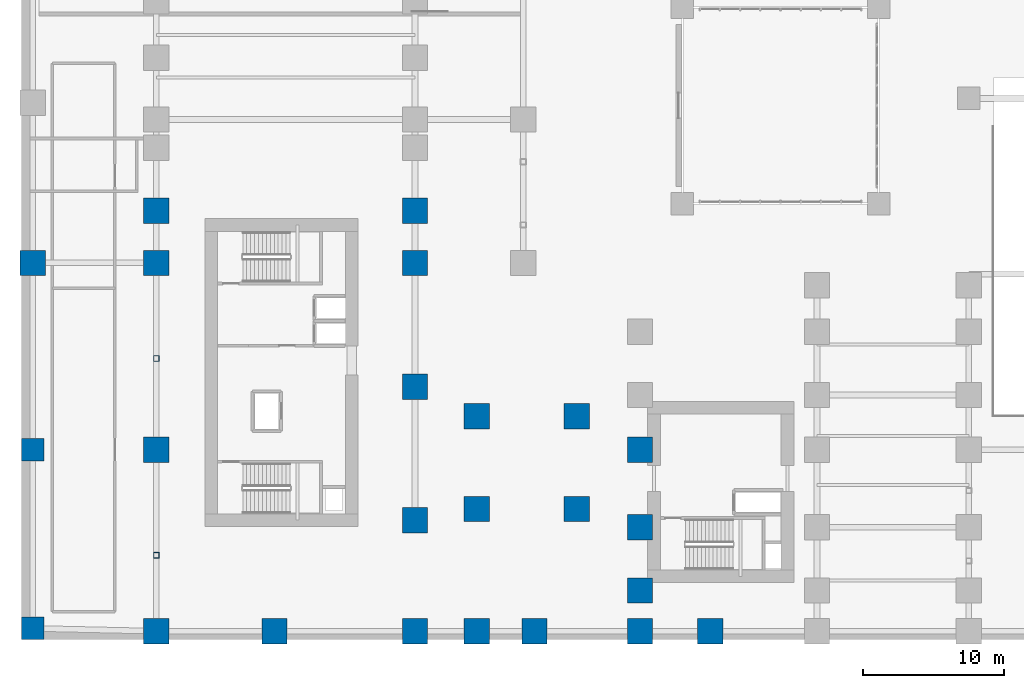
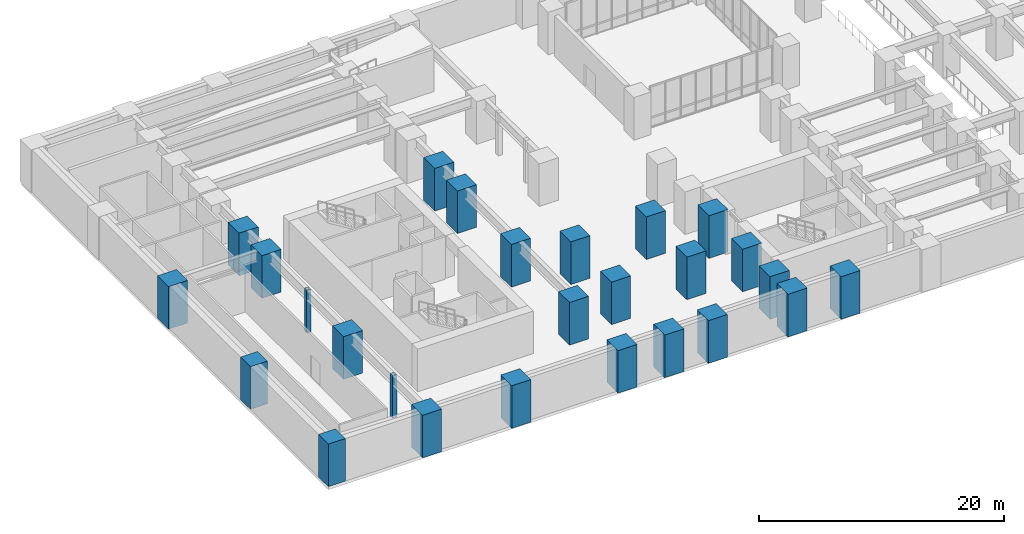
# One storey, part 1 of 18: 26 columns.
"""IFC4 building model written with IfcOpenShell, lengths in metres."""

import ifcopenshell
import ifcopenshell.guid

model = None  # the IFC model being written
_history = None  # IfcOwnerHistory: only IFC2X3 demands one
_inside = {}  # id of a spatial element -> (the spatial element, [elements in it])
_under = {}  # id of a project, library or spatial element -> (it, [spatial elements below it])
_declared = {}  # id of a project -> (the project, [libraries it declares])
_typed = {}  # id of a type object -> (the type object, [elements of that type])
_made_of = {}  # id of a material, layer set ... -> (it, [elements and type objects made of it])


def new_model(schema):
    """Start an empty IFC model of exactly this schema.

    Asked for "IFC4X3", IfcOpenShell would pick the latest addendum, in which some entities
    have other attributes; the version numbers below select the first issue.
    IFC2X3 requires an IfcOwnerHistory on every rooted entity: one is made here for all.
    """
    global model, _history
    if schema == "IFC4X3":
        model = ifcopenshell.file(schema_version=(4, 3, 0, 0))
    else:
        model = ifcopenshell.file(schema=schema)
    _inside.clear()
    _under.clear()
    _declared.clear()
    _typed.clear()
    _made_of.clear()
    _history = None
    if model.schema == "IFC2X3":
        org = make("IfcOrganization", Name="unknown")
        user = make(
            "IfcPersonAndOrganization",
            ThePerson=make("IfcPerson", FamilyName="unknown"),
            TheOrganization=org,
        )
        app = make(
            "IfcApplication",
            ApplicationDeveloper=org,
            Version="unknown",
            ApplicationFullName="unknown",
            ApplicationIdentifier="unknown",
        )
        _history = make(
            "IfcOwnerHistory",
            OwningUser=user,
            OwningApplication=app,
            ChangeAction="ADDED",
            CreationDate=0,
        )
    return model


def make(cls, **values):
    """One entity of the class cls with the attributes given. An attribute that is None is left unset."""
    return model.create_entity(
        cls, **{name: value for name, value in values.items() if value is not None}
    )


def rooted(cls, **values):
    """An entity with a GlobalId (a new one), such as an element, a storey or a relation."""
    return make(cls, GlobalId=ifcopenshell.guid.new(), OwnerHistory=_history, **values)


def si_unit(unit_type, name, prefix=None):
    """IfcSIUnit, for example si_unit("LENGTHUNIT", "METRE", prefix="MILLI")."""
    return make("IfcSIUnit", UnitType=unit_type, Prefix=prefix, Name=name)


def assignment(units):
    """IfcUnitAssignment: the units of a project."""
    return None if units is None else make("IfcUnitAssignment", Units=units)


def point(xyz):
    """IfcCartesianPoint."""
    return None if xyz is None else make("IfcCartesianPoint", Coordinates=xyz)


def direction(xyz):
    """IfcDirection."""
    return None if xyz is None else make("IfcDirection", DirectionRatios=xyz)


def frame(location, z_axis=None, x_axis=None):
    """IfcAxis2Placement3D, a coordinate frame: its origin and axes. An axis left out is left unset."""
    return make(
        "IfcAxis2Placement3D",
        Location=point(location),
        Axis=direction(z_axis),
        RefDirection=direction(x_axis),
    )


def frame_2d(location, x_axis=None):
    """IfcAxis2Placement2D, a coordinate frame in the plane: its origin and x axis."""
    return make(
        "IfcAxis2Placement2D", Location=point(location), RefDirection=direction(x_axis)
    )


def origin():
    """The frame at (0, 0, 0) with its axes left unset."""
    return frame((0.0, 0.0, 0.0))


def origin_2d():
    """The frame at (0, 0) in the plane with its x axis left unset."""
    return frame_2d((0.0, 0.0))


def place(relative_to, where):
    """IfcLocalPlacement: puts the frame where relative to a parent placement (None: the world)."""
    return make(
        "IfcLocalPlacement", PlacementRelTo=relative_to, RelativePlacement=where
    )


def context(
    kind, dimensions, precision=None, world=None, true_north=None, identifier=None
):
    """IfcGeometricRepresentationContext, for example the 3D "Model" context."""
    return make(
        "IfcGeometricRepresentationContext",
        ContextIdentifier=identifier,
        ContextType=kind,
        CoordinateSpaceDimension=dimensions,
        Precision=precision,
        WorldCoordinateSystem=world,
        TrueNorth=true_north,
    )


def subcontext(parent, identifier, kind, view, scale=None):
    """IfcGeometricRepresentationSubContext, for example "Body" below "Model"."""
    return make(
        "IfcGeometricRepresentationSubContext",
        ContextIdentifier=identifier,
        ContextType=kind,
        ParentContext=parent,
        TargetScale=scale,
        TargetView=view,
    )


def project(units=None, contexts=None):
    """IfcProject with its units and contexts."""
    return rooted(
        "IfcProject",
        Name="project",
        RepresentationContexts=contexts,
        UnitsInContext=assignment(units),
    )


def spatial(cls, under=None, at=None, **own):
    """A site, building, storey or space (cls), placed at a placement, below another one or the project."""
    s = rooted(cls, ObjectPlacement=at, **own)
    if under is not None:
        _under.setdefault(under.id(), (under, []))[1].append(s)
    return s


def profile(cls, at=None, kind="AREA", **sizes):
    """A parametric profile (cls). Its sizes go by their IFC names, for example OverallWidth=200.0."""
    return make(cls, ProfileType=kind, Position=at, **sizes)


def rectangle(**sizes):
    """IfcRectangleProfileDef."""
    return profile("IfcRectangleProfileDef", **sizes)


def hollow_rectangle(**sizes):
    """IfcRectangleHollowProfileDef."""
    return profile("IfcRectangleHollowProfileDef", **sizes)


def extrude(swept, where, along, depth):
    """IfcExtrudedAreaSolid: the profile swept, set in the frame where, extruded along a direction by depth."""
    return make(
        "IfcExtrudedAreaSolid",
        SweptArea=swept,
        Position=where,
        ExtrudedDirection=direction(along),
        Depth=depth,
    )


def shape(context_of_items, identifier, shape_type, items):
    """IfcShapeRepresentation: the items that make up one representation, for example the "Body"."""
    return make(
        "IfcShapeRepresentation",
        ContextOfItems=context_of_items,
        RepresentationIdentifier=identifier,
        RepresentationType=shape_type,
        Items=items,
    )


def source(mapping_origin, context_of_items, identifier, shape_type, items):
    """IfcRepresentationMap: a shape defined once, which mapped items show again and again."""
    return make(
        "IfcRepresentationMap",
        MappingOrigin=mapping_origin,
        MappedRepresentation=shape(context_of_items, identifier, shape_type, items),
    )


def transform(
    local_origin,
    x_axis=None,
    y_axis=None,
    z_axis=None,
    scale=None,
    scale2=None,
    scale3=None,
    uniform=True,
):
    """IfcCartesianTransformationOperator3D, or its non-uniform kind. x_axis, y_axis, z_axis: its Axis1, 2, 3."""
    if uniform:
        return make(
            "IfcCartesianTransformationOperator3D",
            Axis1=direction(x_axis),
            Axis2=direction(y_axis),
            LocalOrigin=point(local_origin),
            Scale=scale,
            Axis3=direction(z_axis),
        )
    return make(
        "IfcCartesianTransformationOperator3DnonUniform",
        Axis1=direction(x_axis),
        Axis2=direction(y_axis),
        LocalOrigin=point(local_origin),
        Scale=scale,
        Axis3=direction(z_axis),
        Scale2=scale2,
        Scale3=scale3,
    )


def mapped(mapping_source, mapping_target):
    """IfcMappedItem: shows the shape of a source again, moved by a transform."""
    return make(
        "IfcMappedItem", MappingSource=mapping_source, MappingTarget=mapping_target
    )


def material(Name=None, Category=None):
    """IfcMaterial."""
    return make("IfcMaterial", Name=Name, Category=Category)


def material_profile(
    of_material, cross_section, Name=None, Category=None, Priority=None
):
    """IfcMaterialProfile: a cross section and its material."""
    return make(
        "IfcMaterialProfile",
        Name=Name,
        Material=of_material,
        Profile=cross_section,
        Priority=Priority,
        Category=Category,
    )


def profile_set(profiles, Name=None, composite=None):
    """IfcMaterialProfileSet."""
    return make(
        "IfcMaterialProfileSet",
        Name=Name,
        MaterialProfiles=profiles,
        CompositeProfile=composite,
    )


def made_of(thing, what):
    """Note that an element or type object is made of a material, layer set ...; save() writes the relation."""
    if what is not None:
        _made_of.setdefault(what.id(), (what, []))[1].append(thing)
    return thing


def type_object(cls, material=None, **own):
    """A type object (cls), such as IfcWallType, which elements share."""
    return made_of(rooted(cls, **own), material)


def element(
    cls,
    number,
    at=None,
    inside=None,
    cuts=None,
    type_object=None,
    material=None,
    context=None,
    identifier="Body",
    shape_type=None,
    held_by="IfcProductDefinitionShape",
    body=None,
    shapes=None,
    **own,
):
    """One element of the class cls, such as IfcWall. Its Tag is "e" and its number.

    at: its placement. inside: the storey or other place that contains it. cuts: it is an
    opening in that element (IfcRelVoidsElement). A single representation is given by context,
    identifier, shape_type and body (its items); several are given by shapes. held_by: the class
    of the entity that holds the representations. save() writes the other relations.
    """
    e = rooted(cls, Tag="e%d" % number, ObjectPlacement=at, **own)
    if body is not None:
        shapes = [shape(context, identifier, shape_type, body)]
    if shapes is not None:
        e.Representation = make(held_by, Representations=shapes)
    if inside is not None:
        _inside.setdefault(inside.id(), (inside, []))[1].append(e)
    if cuts is not None:
        rooted(
            "IfcRelVoidsElement", RelatingBuildingElement=cuts, RelatedOpeningElement=e
        )
    if type_object is not None:
        _typed.setdefault(type_object.id(), (type_object, []))[1].append(e)
    return made_of(e, material)


def aggregate(whole, parts):
    """IfcRelAggregates: a whole, such as a stair, and the parts it consists of."""
    return rooted("IfcRelAggregates", RelatingObject=whole, RelatedObjects=parts)


def save(model, path):
    """Write the relations noted so far, then the file.

    IfcRelAggregates (storeys below a building ...), IfcRelContainedInSpatialStructure (elements
    in a storey), IfcRelDefinesByType, IfcRelAssociatesMaterial and IfcRelDeclares: one each for
    every whole, place, type object, material and project.
    """
    for whole, parts in _under.values():
        aggregate(whole, parts)
    for where, things in _inside.values():
        rooted(
            "IfcRelContainedInSpatialStructure",
            RelatedElements=things,
            RelatingStructure=where,
        )
    for kind, things in _typed.values():
        rooted("IfcRelDefinesByType", RelatedObjects=things, RelatingType=kind)
    for what, things in _made_of.values():
        rooted("IfcRelAssociatesMaterial", RelatedObjects=things, RelatingMaterial=what)
    for by, libraries in _declared.values():
        rooted("IfcRelDeclares", RelatingContext=by, RelatedDefinitions=libraries)
    model.write(path)


model = new_model("IFC4")

# Units and contexts
model_context = context("Model", 3, precision=1e-05, world=origin(), true_north=direction((0.0, 1.0)))
body_context = subcontext(model_context, "Body", "Model", "MODEL_VIEW")
ifc_project = project(units=[si_unit("LENGTHUNIT", "METRE"), si_unit("AREAUNIT", "SQUARE_METRE"), si_unit("VOLUMEUNIT", "CUBIC_METRE"), si_unit("PLANEANGLEUNIT", "RADIAN"), si_unit("MASSUNIT", "GRAM", prefix="KILO")], contexts=[model_context])

# Site, building, storey
site_placement = place(None, origin())
site = spatial("IfcSite", under=ifc_project, at=site_placement, CompositionType="ELEMENT")
building_placement = place(site_placement, origin())
building = spatial("IfcBuilding", under=site, at=building_placement, Name="Kharzan Plaza Tower", CompositionType="ELEMENT")
storey_placement = place(building_placement, frame((0.0, 0.0, -4.5)))
storey = spatial("IfcBuildingStorey", under=building, at=storey_placement, Name="B01", CompositionType="ELEMENT", Elevation=-4.5)

# Columns
ifc_material_1 = material(Name="Concrete C60/75", Category="concrete")
ifc_material_profile_1 = material_profile(ifc_material_1, rectangle(XDim=1.60009765625, YDim=1.60009765625, at=origin_2d()), Name="RC-MC1600x1600")
ifc_profile_set_1 = profile_set([ifc_material_profile_1], Name="Concrete C60/75")
column_type_1 = type_object("IfcColumnType", Name="COL-BC1600", PredefinedType="COLUMN", material=ifc_profile_set_1)
shared_shape_1 = source(origin(), body_context, "Body", "SweptSolid", [
    extrude(rectangle(XDim=1.60009765625, YDim=1.60009765625, at=origin_2d()), origin(), (0.0, 0.0, 1.0), 4.239990234375),
])
for number, where, z_axis, x_axis, name in (
    (1, (-8.199951171875, 0.800048828125, 0.0), (0.0, 0.0, 1.0), (1.0, 0.0, 0.0), "B01 Structural Column BC01"),
    (2, (-8.199951171875, 13.5, 0.0), (0.0, 0.0, 1.0), (1.0, 0.0, 0.0), "B01 Structural Column BC02"),
):
    element("IfcColumn", number, at=place(storey_placement, frame(where, z_axis=z_axis, x_axis=x_axis)), inside=storey, type_object=column_type_1, Name=name, PredefinedType="COLUMN", context=body_context, shape_type="MappedRepresentation", body=[
        mapped(shared_shape_1, transform((0.0, 0.0, 0.0), x_axis=(1.0, 0.0, 0.0), y_axis=(0.0, 1.0, 0.0), z_axis=(0.0, 0.0, 1.0))),
    ])
ifc_material_profile_2 = material_profile(ifc_material_1, rectangle(XDim=1.800048828125, YDim=1.800048828125, at=origin_2d()), Name="RC-MC1800x1800")
ifc_profile_set_2 = profile_set([ifc_material_profile_2], Name="Concrete C60/75")
column_type_2 = type_object("IfcColumnType", Name="COL-MC1800", PredefinedType="COLUMN", material=ifc_profile_set_2)
shared_shape_2 = source(origin(), body_context, "Body", "SweptSolid", [
    extrude(rectangle(XDim=1.800048828125, YDim=1.800048828125, at=origin_2d()), origin(), (0.0, 0.0, 1.0), 4.239990234375),
])
for number, where, z_axis, x_axis, name in (
    (3, (-8.199951171875, 26.800048828125, 0.0), (0.0, 0.0, 1.0), (1.0, 0.0, 0.0), "B01 Podium Mega-Column MC01"),
    (4, (0.60009765625, 0.60009765625, 0.0), (0.0, 0.0, 1.0), (1.0, 0.0, 0.0), "B01 Podium Mega-Column MC04"),
    (5, (0.60009765625, 13.5, 0.0), (0.0, 0.0, 1.0), (1.0, 0.0, 0.0), "B01 Podium Mega-Column MC05"),
    (6, (0.60009765625, 26.800048828125, 0.0), (0.0, 0.0, 1.0), (1.0, 0.0, 0.0), "B01 Podium Mega-Column MC06"),
    (7, (0.60009765625, 30.5, 0.0), (0.0, 0.0, 1.0), (1.0, 0.0, 0.0), "B01 Podium Mega-Column MC07"),
    (8, (9.0, 0.60009765625, 0.0), (0.0, 0.0, 1.0), (1.0, 0.0, 0.0), "B01 Podium Mega-Column MC13"),
    (9, (19.0, 0.60009765625, 0.0), (0.0, 0.0, 1.0), (1.0, 0.0, 0.0), "B01 Podium Mega-Column MC14"),
    (10, (27.5, 0.60009765625, 0.0), (0.0, 0.0, 1.0), (1.0, 0.0, 0.0), "B01 Podium Mega-Column MC15"),
    (11, (35.0, 0.60009765625, 0.0), (0.0, 0.0, 1.0), (1.0, 0.0, 0.0), "B01 Podium Mega-Column MC16"),
    (12, (40.0, 0.60009765625, 0.0), (0.0, 0.0, 1.0), (1.0, 0.0, 0.0), "B01 Podium Mega-Column MC17"),
    (13, (19.0, 8.5, 0.0), (0.0, 0.0, 1.0), (1.0, 0.0, 0.0), "B01 Podium Mega-Column MC37"),
    (14, (19.0, 18.0, 0.0), (0.0, 0.0, 1.0), (1.0, 0.0, 0.0), "B01 Podium Mega-Column MC38"),
    (15, (19.0, 26.800048828125, 0.0), (0.0, 0.0, 1.0), (1.0, 0.0, 0.0), "B01 Podium Mega-Column MC39"),
    (16, (19.0, 30.5, 0.0), (0.0, 0.0, 1.0), (1.0, 0.0, 0.0), "B01 Podium Mega-Column MC40"),
    (17, (35.0, 3.5, 0.0), (0.0, 0.0, 1.0), (1.0, 0.0, 0.0), "B01 Podium Mega-Column MC45"),
    (18, (35.0, 8.0, 0.0), (0.0, 0.0, 1.0), (1.0, 0.0, 0.0), "B01 Podium Mega-Column MC46"),
    (19, (35.0, 13.5, 0.0), (0.0, 0.0, 1.0), (1.0, 0.0, 0.0), "B01 Podium Mega-Column MC47"),
    (20, (23.39990234375, 0.60009765625, 0.0), (0.0, 0.0, 1.0), (1.0, 0.0, 0.0), "B01 Podium Mega-Column MC50"),
    (21, (23.39990234375, 9.300048828125, 0.0), (0.0, 0.0, 1.0), (1.0, 0.0, 0.0), "B01 Podium Mega-Column MC51"),
    (22, (30.5, 9.300048828125, 0.0), (0.0, 0.0, 1.0), (1.0, 0.0, 0.0), "B01 Podium Mega-Column MC52"),
    (23, (23.39990234375, 15.89990234375, 0.0), (0.0, 0.0, 1.0), (1.0, 0.0, 0.0), "B01 Podium Mega-Column MC53"),
    (24, (30.5, 15.89990234375, 0.0), (0.0, 0.0, 1.0), (1.0, 0.0, 0.0), "B01 Podium Mega-Column MC54"),
):
    element("IfcColumn", number, at=place(storey_placement, frame(where, z_axis=z_axis, x_axis=x_axis)), inside=storey, type_object=column_type_2, Name=name, PredefinedType="COLUMN", context=body_context, shape_type="MappedRepresentation", body=[
        mapped(shared_shape_2, transform((0.0, 0.0, 0.0), x_axis=(1.0, 0.0, 0.0), y_axis=(0.0, 1.0, 0.0), z_axis=(0.0, 0.0, 1.0))),
    ])
ifc_material_2 = material(Name="Steel S355", Category="steel")
ifc_material_profile_3 = material_profile(ifc_material_2, hollow_rectangle(XDim=0.39990234375, YDim=0.39990234375, WallThickness=0.02001953125, at=origin_2d()), Name="SHS400x400x20")
ifc_profile_set_3 = profile_set([ifc_material_profile_3], Name="Steel S355")
column_type_3 = type_object("IfcColumnType", Name="COL-PIL400", PredefinedType="PILASTER", material=ifc_profile_set_3)
shared_shape_3 = source(origin(), body_context, "Body", "SweptSolid", [
    extrude(hollow_rectangle(XDim=0.39990234375, YDim=0.39990234375, WallThickness=0.02001953125, at=origin_2d()), origin(), (0.0, 0.0, 1.0), 4.239990234375),
])
for number, where, z_axis, x_axis, name in (
    (25, (0.60009765625, 6.0, 0.0), (0.0, 0.0, 1.0), (1.0, 0.0, 0.0), "B01 Portal Steel Pilaster 3"),
    (26, (0.60009765625, 20.0, 0.0), (0.0, 0.0, 1.0), (1.0, 0.0, 0.0), "B01 Portal Steel Pilaster 4"),
):
    element("IfcColumn", number, at=place(storey_placement, frame(where, z_axis=z_axis, x_axis=x_axis)), inside=storey, type_object=column_type_3, Name=name, PredefinedType="PILASTER", context=body_context, shape_type="MappedRepresentation", body=[
        mapped(shared_shape_3, transform((0.0, 0.0, 0.0), x_axis=(1.0, 0.0, 0.0), y_axis=(0.0, 1.0, 0.0), z_axis=(0.0, 0.0, 1.0))),
    ])

save(model, "model.ifc")
